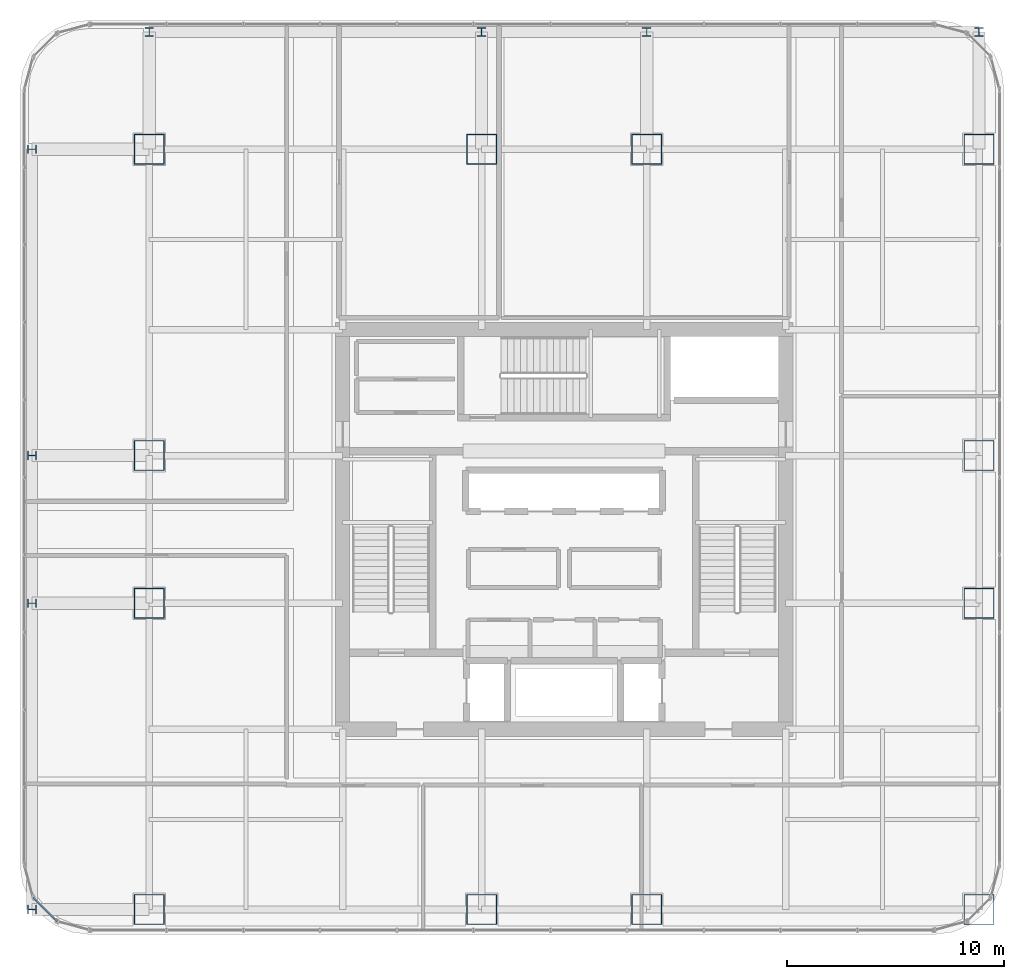
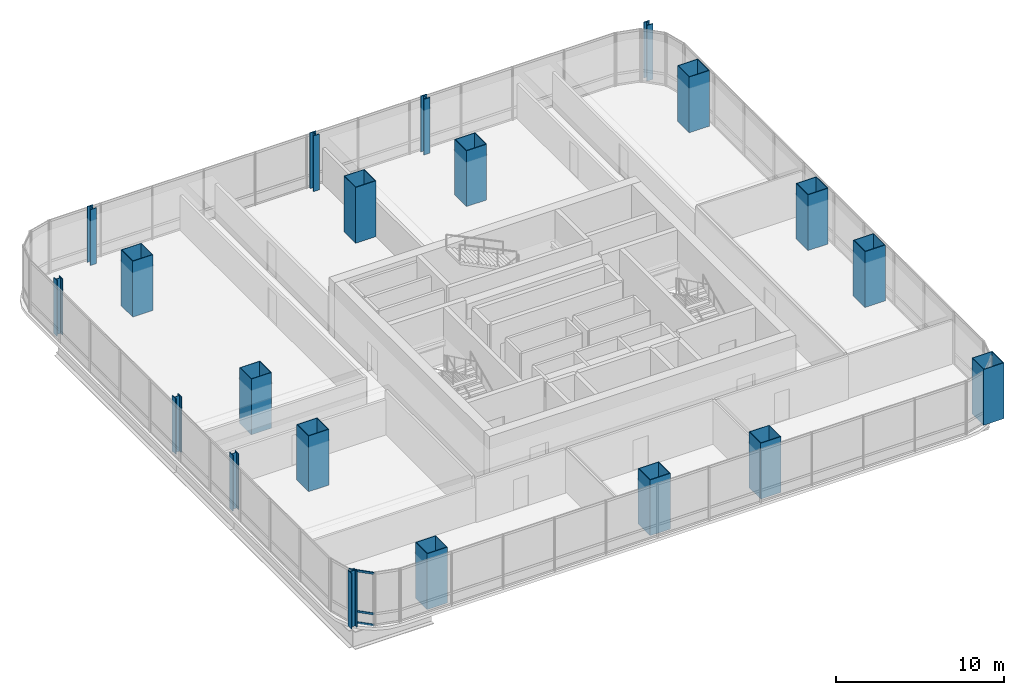
# One storey, part 1 of 37: 20 columns, 3 members, 1 element without a shape of its own.
"""IFC4 building model written with IfcOpenShell, lengths in metres."""

from ifc_helpers import new_model, si_unit, direction, frame, origin, origin_2d, place, context, subcontext, project, spatial, hollow_rectangle, i_section, extrude, material, material_profile, profile_set, type_object, element, aggregate, save


model = new_model("IFC4")

# Units and contexts
model_context = context("Model", 3, precision=1e-05, world=origin(), true_north=direction((0.0, 1.0)))
body_context = subcontext(model_context, "Body", "Model", "MODEL_VIEW")
ifc_project = project(units=[si_unit("LENGTHUNIT", "METRE"), si_unit("AREAUNIT", "SQUARE_METRE"), si_unit("VOLUMEUNIT", "CUBIC_METRE"), si_unit("PLANEANGLEUNIT", "RADIAN"), si_unit("MASSUNIT", "GRAM", prefix="KILO")], contexts=[model_context])

# Site, building, storey
site_placement = place(None, origin())
site = spatial("IfcSite", under=ifc_project, at=site_placement, CompositionType="ELEMENT")
building_placement = place(site_placement, origin())
building = spatial("IfcBuilding", under=site, at=building_placement, Name="Punatoya Terracotta Tower", CompositionType="ELEMENT")
storey_placement = place(building_placement, frame((0.0, 0.0, 164.10009765625)))
storey = spatial("IfcBuildingStorey", under=building, at=storey_placement, Name="L38", CompositionType="ELEMENT", Elevation=164.10009765625)

# Columns
ifc_material_1 = material(Name="Steel S460", Category="steel")
ifc_material_profile_1 = material_profile(ifc_material_1, i_section(OverallWidth=0.408935546875, OverallDepth=0.425048828125, WebThickness=0.031982421875, FlangeThickness=0.052001953125, FilletRadius=0.01806640625, at=origin_2d()))
ifc_profile_set_1 = profile_set([ifc_material_profile_1], Name="Steel S460")
column_type_1 = type_object("IfcColumnType", Name="COL-EX-M2", PredefinedType="COLUMN", material=ifc_profile_set_1)
for number, where, z_axis, x_axis, name in (
    (1, (-19.10009765625, 22.89990234375, 0.0), (0.0, 0.0, 1.0), (1.0, 0.0, 0.0), "L38 Exoskeleton Perimeter Column N1"),
    (2, (-3.800048828125, 22.89990234375, 0.0), (0.0, 0.0, 1.0), (1.0, 0.0, 0.0), "L38 Exoskeleton Perimeter Column N2"),
    (3, (3.800048828125, 22.89990234375, 0.0), (0.0, 0.0, 1.0), (1.0, 0.0, 0.0), "L38 Exoskeleton Perimeter Column N3"),
    (4, (19.10009765625, 22.89990234375, 0.0), (0.0, 0.0, 1.0), (1.0, 0.0, 0.0), "L38 Exoskeleton Perimeter Column N4"),
    (5, (-24.5, -17.5, 0.0), (0.0, 0.0, 1.0), (0.0, 1.0, 0.0), "L38 Exoskeleton Perimeter Column W1"),
    (6, (-24.5, -3.39990234375, 0.0), (0.0, 0.0, 1.0), (0.0, 1.0, 0.0), "L38 Exoskeleton Perimeter Column W2"),
    (7, (-24.5, 3.39990234375, 0.0), (0.0, 0.0, 1.0), (0.0, 1.0, 0.0), "L38 Exoskeleton Perimeter Column W3"),
    (8, (-24.5, 17.5, 0.0), (0.0, 0.0, 1.0), (0.0, 1.0, 0.0), "L38 Exoskeleton Perimeter Column W4"),
):
    element("IfcColumn", number, at=place(storey_placement, frame(where, z_axis=z_axis, x_axis=x_axis)), inside=storey, type_object=column_type_1, Name=name, PredefinedType="COLUMN", context=body_context, shape_type="SweptSolid", body=[
        extrude(i_section(OverallWidth=0.408935546875, OverallDepth=0.425048828125, WebThickness=0.031982421875, FlangeThickness=0.052001953125, FilletRadius=0.01806640625, at=origin_2d()), origin(), (0.0, 0.0, 1.0), 4.0478515625),
    ])
ifc_material_profile_2 = material_profile(ifc_material_1, hollow_rectangle(XDim=1.39990234375, YDim=1.39990234375, WallThickness=0.0419921875, at=origin_2d()))
ifc_profile_set_2 = profile_set([ifc_material_profile_2], Name="Steel S460")
column_type_2 = type_object("IfcColumnType", Name="COL-MC-Z2", PredefinedType="COLUMN", material=ifc_profile_set_2)
for number, where, z_axis, x_axis, name in (
    (9, (-19.10009765625, -17.5, 0.0), (0.0, 0.0, 1.0), (1.0, 0.0, 0.0), "L38 Composite Mega-Column MC-01 (3-B)"),
    (10, (-3.800048828125, -17.5, 0.0), (0.0, 0.0, 1.0), (1.0, 0.0, 0.0), "L38 Composite Mega-Column MC-02 (5-B)"),
    (11, (3.800048828125, -17.5, 0.0), (0.0, 0.0, 1.0), (1.0, 0.0, 0.0), "L38 Composite Mega-Column MC-03 (7-B)"),
    (12, (19.10009765625, -17.5, 0.0), (0.0, 0.0, 1.0), (1.0, 0.0, 0.0), "L38 Composite Mega-Column MC-04 (9-B)"),
    (13, (19.10009765625, -3.39990234375, 0.0), (0.0, 0.0, 1.0), (1.0, 0.0, 0.0), "L38 Composite Mega-Column MC-05 (9-D)"),
    (14, (19.10009765625, 3.39990234375, 0.0), (0.0, 0.0, 1.0), (1.0, 0.0, 0.0), "L38 Composite Mega-Column MC-06 (9-E)"),
    (15, (19.10009765625, 17.5, 0.0), (0.0, 0.0, 1.0), (1.0, 0.0, 0.0), "L38 Composite Mega-Column MC-07 (9-G)"),
    (16, (3.800048828125, 17.5, 0.0), (0.0, 0.0, 1.0), (1.0, 0.0, 0.0), "L38 Composite Mega-Column MC-08 (7-G)"),
    (17, (-3.800048828125, 17.5, 0.0), (0.0, 0.0, 1.0), (1.0, 0.0, 0.0), "L38 Composite Mega-Column MC-09 (5-G)"),
    (18, (-19.10009765625, 17.5, 0.0), (0.0, 0.0, 1.0), (1.0, 0.0, 0.0), "L38 Composite Mega-Column MC-10 (3-G)"),
    (19, (-19.10009765625, 3.39990234375, 0.0), (0.0, 0.0, 1.0), (1.0, 0.0, 0.0), "L38 Composite Mega-Column MC-11 (3-E)"),
    (20, (-19.10009765625, -3.39990234375, 0.0), (0.0, 0.0, 1.0), (1.0, 0.0, 0.0), "L38 Composite Mega-Column MC-12 (3-D)"),
):
    element("IfcColumn", number, at=place(storey_placement, frame(where, z_axis=z_axis, x_axis=x_axis)), inside=storey, type_object=column_type_2, Name=name, PredefinedType="COLUMN", context=body_context, shape_type="SweptSolid", body=[
        extrude(hollow_rectangle(XDim=1.39990234375, YDim=1.39990234375, WallThickness=0.0419921875, at=origin_2d()), origin(), (0.0, 0.0, 1.0), 4.0498046875),
    ])

# Curtain wall, members
ifc_material_2 = material(Name="Aluminium 6063-T6 + Double Low-E Glass", Category="aluminium")
curtain_wall_type = type_object("IfcCurtainWallType", Name="CW-M2", PredefinedType="NOTDEFINED", material=ifc_material_2)
curtain_wall_placement = place(storey_placement, origin())
curtain_wall = element("IfcCurtainWall", 21, at=curtain_wall_placement, inside=storey, type_object=curtain_wall_type, Name="L38 Curtain Wall CW-L38-CRN15", PredefinedType="NOTDEFINED")
ifc_material_3 = material(Name="Aluminium 6063-T6", Category="aluminium")
ifc_material_profile_3 = material_profile(ifc_material_3, hollow_rectangle(XDim=0.068115234375, YDim=0.14990234375, WallThickness=0.00390625, at=origin_2d()))
ifc_profile_set_3 = profile_set([ifc_material_profile_3], Name="Aluminium 6063-T6")
member_type = type_object("IfcMemberType", Name="CW-TRN-TYP", PredefinedType="USERDEFINED", material=ifc_profile_set_3)
member_1_placement = place(storey_placement, frame((-24.446533203125, -16.94921875, 0.039794921875), z_axis=(0.707106781187, -0.707106781187, 0.0), x_axis=(0.707106781187, 0.707106781187, 0.0)))
member_1 = element("IfcMember", 22, at=member_1_placement, type_object=member_type, Name="CW-L38-CRN15 Transom 1", ObjectType="TRANSOM", PredefinedType="USERDEFINED", context=body_context, shape_type="SweptSolid", body=[
    extrude(hollow_rectangle(XDim=0.068115234375, YDim=0.14990234375, WallThickness=0.00390625, at=origin_2d()), origin(), (0.0, 0.0, 1.0), 1.552001953125),
])
member_2_placement = place(storey_placement, frame((-24.446533203125, -16.94921875, 0.849853515625), z_axis=(0.707106781187, -0.707106781187, 0.0), x_axis=(0.707106781187, 0.707106781187, 0.0)))
member_2 = element("IfcMember", 23, at=member_2_placement, type_object=member_type, Name="CW-L38-CRN15 Transom 2", ObjectType="TRANSOM", PredefinedType="USERDEFINED", context=body_context, shape_type="SweptSolid", body=[
    extrude(hollow_rectangle(XDim=0.068115234375, YDim=0.14990234375, WallThickness=0.00390625, at=origin_2d()), origin(), (0.0, 0.0, 1.0), 1.552001953125),
])
member_3_placement = place(storey_placement, frame((-24.446533203125, -16.94921875, 3.789794921875), z_axis=(0.707106781187, -0.707106781187, 0.0), x_axis=(0.707106781187, 0.707106781187, 0.0)))
member_3 = element("IfcMember", 24, at=member_3_placement, type_object=member_type, Name="CW-L38-CRN15 Transom 3", ObjectType="TRANSOM", PredefinedType="USERDEFINED", context=body_context, shape_type="SweptSolid", body=[
    extrude(hollow_rectangle(XDim=0.068115234375, YDim=0.14990234375, WallThickness=0.00390625, at=origin_2d()), origin(), (0.0, 0.0, 1.0), 1.552001953125),
])
aggregate(curtain_wall, [member_1, member_2, member_3])

save(model, "model.ifc")
